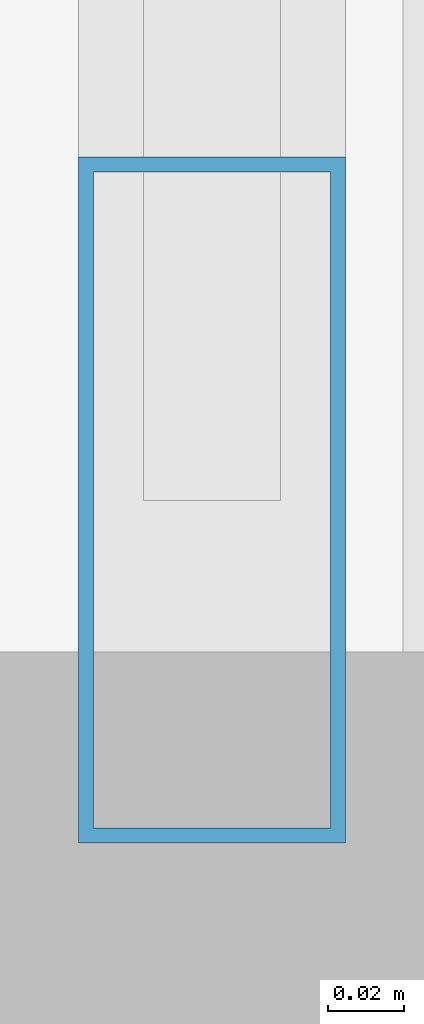
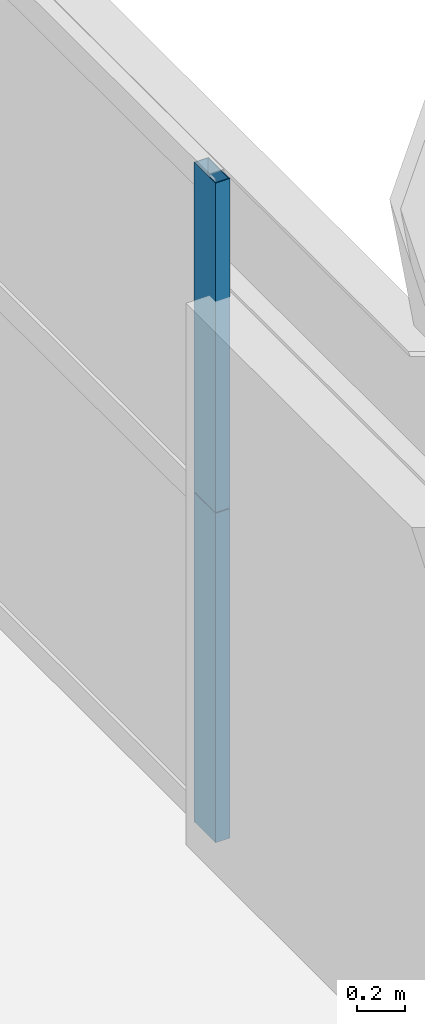
# One storey, part 18 of 43: 2 members, 1 element without a shape of its own.
"""IFC4 building model written with IfcOpenShell, lengths in metres."""

from ifc_helpers import new_model, si_unit, direction, frame, origin, origin_2d, place, context, subcontext, project, spatial, hollow_rectangle, extrude, source, transform, mapped, material, layer, layer_set, material_profile, profile_set, type_object, element, aggregate, save


model = new_model("IFC4")

# Units and contexts
model_context = context("Model", 3, precision=1e-05, world=origin(), true_north=direction((0.0, 1.0)))
body_context = subcontext(model_context, "Body", "Model", "MODEL_VIEW")
ifc_project = project(units=[si_unit("LENGTHUNIT", "METRE"), si_unit("AREAUNIT", "SQUARE_METRE"), si_unit("VOLUMEUNIT", "CUBIC_METRE"), si_unit("PLANEANGLEUNIT", "RADIAN"), si_unit("MASSUNIT", "GRAM", prefix="KILO"), si_unit("THERMODYNAMICTEMPERATUREUNIT", "KELVIN"), si_unit("POWERUNIT", "WATT")], contexts=[model_context])

# Site, building, storey
site_placement = place(None, origin())
site = spatial("IfcSite", under=ifc_project, at=site_placement, CompositionType="ELEMENT")
building_placement = place(site_placement, origin())
building = spatial("IfcBuilding", under=site, at=building_placement, Name="Yuzanri Waterfront Tower", CompositionType="ELEMENT")
storey_placement = place(building_placement, frame((0.0, 0.0, 159.60009765625)))
storey = spatial("IfcBuildingStorey", under=building, at=storey_placement, Name="L42", CompositionType="ELEMENT", Elevation=159.60009765625)

# Curtain wall, members
ifc_material_1 = material(Name="Anodized Architectural Bronze", Category="metal")
ifc_layer = layer(ifc_material_1, 0.159912109375)
ifc_layer_set = layer_set([ifc_layer], Name="Anodized Architectural Bronze")
curtain_wall_type = type_object("IfcCurtainWallType", Name="Anodized Bronze Hotel Upper-Tier Solar-Control Unitized Curtain Wall 7800", PredefinedType="NOTDEFINED", material=ifc_layer_set)
curtain_wall_placement = place(storey_placement, origin())
curtain_wall = element("IfcCurtainWall", 1, at=curtain_wall_placement, inside=storey, type_object=curtain_wall_type, Name="L42 Curtain Wall CW-L42-EL1", PredefinedType="NOTDEFINED")
ifc_material_2 = material(Name="Anodized Architectural Bronze", Category="metal")
ifc_material_profile = material_profile(ifc_material_2, hollow_rectangle(XDim=0.070068359375, YDim=0.179931640625, WallThickness=0.00390625, at=origin_2d()), Name="CWM 70x180")
ifc_profile_set = profile_set([ifc_material_profile], Name="Anodized Architectural Bronze")
member_type = type_object("IfcMemberType", Name="Anodized Bronze Standard Curtain-Wall Mullion 70x180", PredefinedType="MULLION", material=ifc_profile_set)
shared_shape = source(origin(), body_context, "Body", "SweptSolid", [
    extrude(hollow_rectangle(XDim=0.070068359375, YDim=0.179931640625, WallThickness=0.00390625, at=origin_2d()), origin(), (0.0, 0.0, 1.0), 1.68798828125),
])
member_1_placement = place(storey_placement, frame((60.449951171875, 9.590087890625, 0.0), z_axis=(0.0, 0.0, 1.0), x_axis=(1.0, 0.0, 0.0)))
member_1 = element("IfcMember", 2, at=member_1_placement, type_object=member_type, Name="CW-L42-EL1 Lower Mullion 00", PredefinedType="MULLION", context=body_context, shape_type="MappedRepresentation", body=[
    mapped(shared_shape, transform((0.0, 0.0, 0.0), scale=1.0)),
])
member_2_placement = place(storey_placement, frame((60.449951171875, 9.590087890625, 1.69189453125), z_axis=(0.0, 0.0, 1.0), x_axis=(1.0, 0.0, 0.0)))
member_2 = element("IfcMember", 3, at=member_2_placement, type_object=member_type, Name="CW-L42-EL1 Upper Mullion 00", PredefinedType="MULLION", context=body_context, shape_type="MappedRepresentation", body=[
    mapped(shared_shape, transform((0.0, 0.0, 0.0), scale=1.0)),
])
aggregate(curtain_wall, [member_1, member_2])

save(model, "model.ifc")
